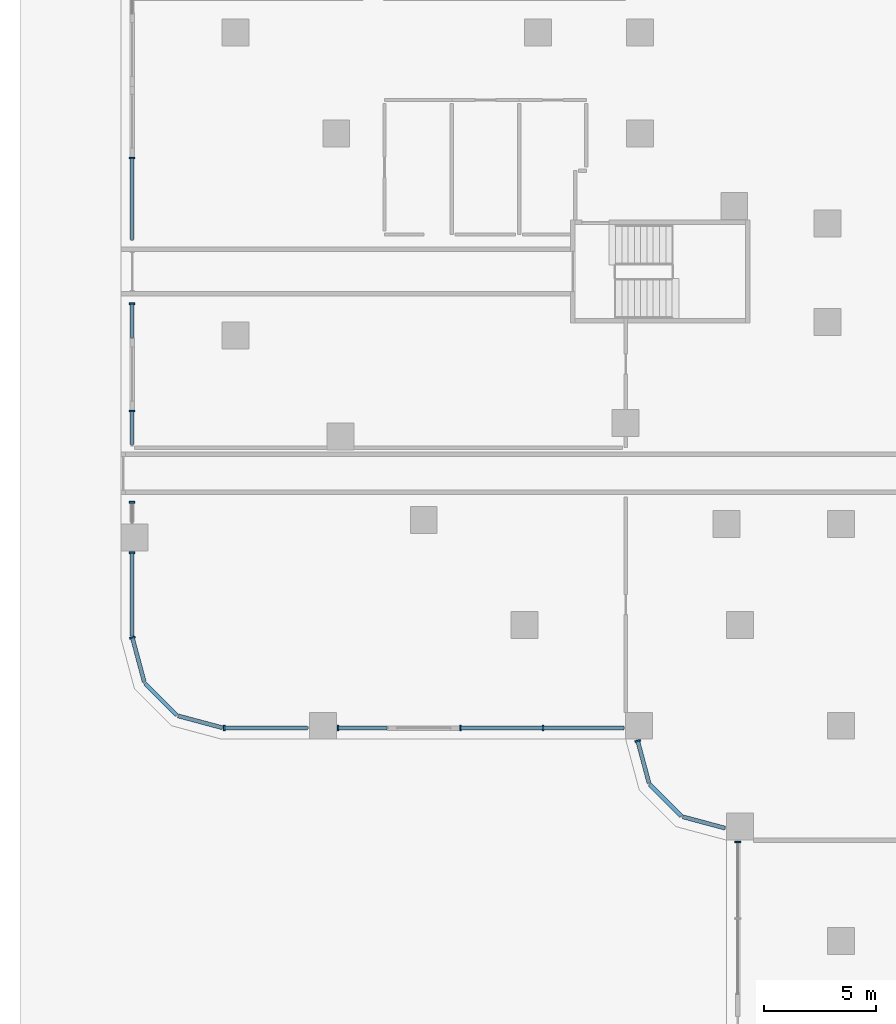
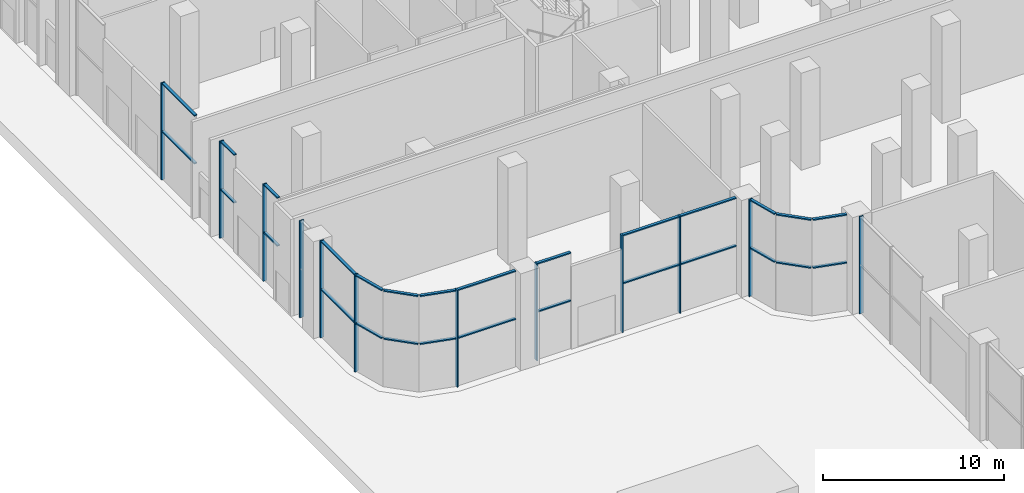
# One storey, part 4 of 34: 38 members, 9 elements without a shape of their own.
"""IFC4 building model written with IfcOpenShell, lengths in metres."""

from ifc_helpers import new_model, si_unit, direction, origin, place, context, subcontext, project, spatial, polyline, outline, extrude, source, transform, mapped, material, type_object, element, aggregate, save


model = new_model("IFC4")

# Units and contexts
model_context = context("Model", 3, precision=1e-05, world=origin(), true_north=direction((0.0, 1.0)))
body_context = subcontext(model_context, "Body", "Model", "MODEL_VIEW")
ifc_project = project(units=[si_unit("LENGTHUNIT", "METRE"), si_unit("AREAUNIT", "SQUARE_METRE"), si_unit("VOLUMEUNIT", "CUBIC_METRE"), si_unit("PLANEANGLEUNIT", "RADIAN"), si_unit("MASSUNIT", "GRAM", prefix="KILO")], contexts=[model_context])

# Site, building, storey
site_placement = place(None, origin())
site = spatial("IfcSite", under=ifc_project, at=site_placement, CompositionType="ELEMENT")
building_placement = place(site_placement, origin())
building = spatial("IfcBuilding", under=site, at=building_placement, Name="Zarbagh Exchange Tower", CompositionType="ELEMENT")
storey_placement = place(building_placement, origin())
storey = spatial("IfcBuildingStorey", under=building, at=storey_placement, Name="L00", CompositionType="ELEMENT", Elevation=0.0)

# Curtain wall, members
ifc_material_1 = material(Name="Anodised aluminium frame and glazing", Category="aluminium")
curtain_wall_type = type_object("IfcCurtainWallType", Name="CWC Podium garden-wall glazing", PredefinedType="NOTDEFINED", material=ifc_material_1)
curtain_wall_1_placement = place(storey_placement, origin())
curtain_wall_1 = element("IfcCurtainWall", 1, at=curtain_wall_1_placement, inside=storey, type_object=curtain_wall_type, Name="CWC37 curtain wall", PredefinedType="NOTDEFINED")
ifc_material_2 = material(Name="Anodised aluminium frame", Category="aluminium")
member_type_1 = type_object("IfcMemberType", Name="MUC Mullion, anodised aluminium frame", PredefinedType="MULLION", material=ifc_material_2)
shared_shape_1 = source(origin(), body_context, "Body", "SweptSolid", [
    extrude(outline(polyline([(0.0, -0.125), (0.080078125, -0.125), (0.080078125, 0.125), (0.0, 0.125), (0.0, -0.125)])), origin(), (0.0, 0.0, 1.0), 6.550048828125),
])
placement = place(storey_placement, origin())
member_1 = element("IfcMember", 2, at=placement, type_object=member_type_1, Name="CWC37 mullion 5.1", PredefinedType="MULLION", context=body_context, shape_type="MappedRepresentation", body=[
    mapped(shared_shape_1, transform((-55.75, -3.300048828125, 0.0), x_axis=(0.0, -1.0, 0.0), y_axis=(1.0, 0.0, 0.0), z_axis=(0.0, 0.0, 1.0))),
])
member_2 = element("IfcMember", 3, at=placement, type_object=member_type_1, Name="CWC37 mullion 6.1", PredefinedType="MULLION", context=body_context, shape_type="MappedRepresentation", body=[
    mapped(shared_shape_1, transform((-55.75, -9.7900390625, 0.0), x_axis=(0.0, -1.0, 0.0), y_axis=(1.0, 0.0, 0.0), z_axis=(0.0, 0.0, 1.0))),
])
member_3 = element("IfcMember", 4, at=placement, type_object=member_type_1, Name="CWC37 mullion 7.1", PredefinedType="MULLION", context=body_context, shape_type="MappedRepresentation", body=[
    mapped(shared_shape_1, transform((-55.75, -14.574951171875, 0.0), x_axis=(0.0, -1.0, 0.0), y_axis=(1.0, 0.0, 0.0), z_axis=(0.0, 0.0, 1.0))),
])
member_4 = element("IfcMember", 5, at=placement, type_object=member_type_1, Name="CWC37 mullion 8.1", PredefinedType="MULLION", context=body_context, shape_type="MappedRepresentation", body=[
    mapped(shared_shape_1, transform((-55.75, -18.64013671875, 0.0), x_axis=(0.0, -1.0, 0.0), y_axis=(1.0, 0.0, 0.0), z_axis=(0.0, 0.0, 1.0))),
])
member_5 = element("IfcMember", 6, at=placement, type_object=member_type_1, Name="CWC37 mullion 9.1", PredefinedType="MULLION", context=body_context, shape_type="MappedRepresentation", body=[
    mapped(shared_shape_1, transform((-55.75, -20.89013671875, 0.0), x_axis=(0.0, -1.0, 0.0), y_axis=(1.0, 0.0, 0.0), z_axis=(0.0, 0.0, 1.0))),
])

# Curtain wall, member
curtain_wall_2_placement = place(storey_placement, origin())
curtain_wall_2 = element("IfcCurtainWall", 7, at=curtain_wall_2_placement, inside=storey, type_object=curtain_wall_type, Name="CWC38 curtain wall", PredefinedType="NOTDEFINED")
member_6 = element("IfcMember", 8, at=placement, type_object=member_type_1, Name="CWC38 mullion 1.1", PredefinedType="MULLION", context=body_context, shape_type="MappedRepresentation", body=[
    mapped(shared_shape_1, transform((-55.75, -24.68408203125, 0.0), x_axis=(0.258824779902, -0.965924289636, 0.0), y_axis=(0.965924289636, 0.258824779902, 0.0), z_axis=(0.0, 0.0, 1.0))),
])

# Curtain wall, members
curtain_wall_3_placement = place(storey_placement, origin())
curtain_wall_3 = element("IfcCurtainWall", 9, at=curtain_wall_3_placement, inside=storey, type_object=curtain_wall_type, Name="CWC41 curtain wall", PredefinedType="NOTDEFINED")
member_7 = element("IfcMember", 10, at=placement, type_object=member_type_1, Name="CWC41 mullion 1.1", PredefinedType="MULLION", context=body_context, shape_type="MappedRepresentation", body=[
    mapped(shared_shape_1, transform((-51.68408203125, -28.75, 0.0), x_axis=(1.0, 0.0, 0.0), y_axis=(0.0, 1.0, 0.0), z_axis=(0.0, 0.0, 1.0))),
])
member_8 = element("IfcMember", 11, at=placement, type_object=member_type_1, Name="CWC41 mullion 2.1", PredefinedType="MULLION", context=body_context, shape_type="MappedRepresentation", body=[
    mapped(shared_shape_1, transform((-46.60986328125, -28.75, 0.0), x_axis=(1.0, 0.0, 0.0), y_axis=(0.0, 1.0, 0.0), z_axis=(0.0, 0.0, 1.0))),
])
member_9 = element("IfcMember", 12, at=placement, type_object=member_type_1, Name="CWC41 mullion 3.1", PredefinedType="MULLION", context=body_context, shape_type="MappedRepresentation", body=[
    mapped(shared_shape_1, transform((-41.14990234375, -28.75, 0.0), x_axis=(1.0, 0.0, 0.0), y_axis=(0.0, 1.0, 0.0), z_axis=(0.0, 0.0, 1.0))),
])
member_10 = element("IfcMember", 13, at=placement, type_object=member_type_1, Name="CWC41 mullion 3.2", PredefinedType="MULLION", context=body_context, shape_type="MappedRepresentation", body=[
    mapped(shared_shape_1, transform((-37.469970703125, -28.75, 0.0), x_axis=(1.0, 0.0, 0.0), y_axis=(0.0, 1.0, 0.0), z_axis=(0.0, 0.0, 1.0))),
])

# Curtain wall, member
curtain_wall_4_placement = place(storey_placement, origin())
curtain_wall_4 = element("IfcCurtainWall", 14, at=curtain_wall_4_placement, inside=storey, type_object=curtain_wall_type, Name="CWC42 curtain wall", PredefinedType="NOTDEFINED")
member_11 = element("IfcMember", 15, at=placement, type_object=member_type_1, Name="CWC42 mullion 1.1", PredefinedType="MULLION", context=body_context, shape_type="MappedRepresentation", body=[
    mapped(shared_shape_1, transform((-33.2216796875, -29.2900390625, 0.0), x_axis=(0.258824779902, -0.965924289636, 0.0), y_axis=(0.965924289636, 0.258824779902, 0.0), z_axis=(0.0, 0.0, 1.0))),
])

curtain_wall_5_placement = place(storey_placement, origin())
curtain_wall_5 = element("IfcCurtainWall", 16, at=curtain_wall_5_placement, inside=storey, type_object=curtain_wall_type, Name="CWC45 curtain wall", PredefinedType="NOTDEFINED")
member_12 = element("IfcMember", 17, at=placement, type_object=member_type_1, Name="CWC45 mullion 1.1", PredefinedType="MULLION", context=body_context, shape_type="MappedRepresentation", body=[
    mapped(shared_shape_1, transform((-28.75, -33.7900390625, 0.0), x_axis=(0.0, -1.0, 0.0), y_axis=(1.0, 0.0, 0.0), z_axis=(0.0, 0.0, 1.0))),
])
aggregate(curtain_wall_5, [member_12])

# Member
member_type_2 = type_object("IfcMemberType", Name="TRC Transom, anodised aluminium frame", PredefinedType="USERDEFINED", material=ifc_material_2)
shared_shape_2 = source(origin(), body_context, "Body", "SweptSolid", [
    extrude(outline(polyline([(-0.080078125, -0.090087890625), (0.0, -0.090087890625), (0.0, 0.090087890625), (-0.080078125, 0.090087890625), (-0.080078125, -0.090087890625)])), origin(), (0.0, 0.0, 1.0), 3.714111328125),
])
member_13 = element("IfcMember", 18, at=placement, type_object=member_type_2, Name="CWC37 transom 9.1", ObjectType="TRANSOM", PredefinedType="USERDEFINED", context=body_context, shape_type="MappedRepresentation", body=[
    mapped(shared_shape_2, transform((-55.75, -20.929931640625, 6.550048828125), x_axis=(0.0, 0.0, 1.0), y_axis=(-1.0, 0.0, 0.0), z_axis=(0.0, -1.0, 0.0))),
])

member_14 = element("IfcMember", 19, at=placement, type_object=member_type_2, Name="CWC41 transom 1.1", ObjectType="TRANSOM", PredefinedType="USERDEFINED", context=body_context, shape_type="MappedRepresentation", body=[
    mapped(shared_shape_2, transform((-51.644287109375, -28.75, 6.550048828125), x_axis=(0.0, 0.0, 1.0), y_axis=(0.0, -1.0, 0.0), z_axis=(1.0, 0.0, 0.0))),
])

shared_shape_3 = source(origin(), body_context, "Body", "SweptSolid", [
    extrude(outline(polyline([(-0.0400390625, -0.090087890625), (0.0400390625, -0.090087890625), (0.0400390625, 0.090087890625), (-0.0400390625, 0.090087890625), (-0.0400390625, -0.090087890625)])), origin(), (0.0, 0.0, 1.0), 3.714111328125),
])
member_15 = element("IfcMember", 20, at=placement, type_object=member_type_2, Name="CWC37 mid transom 9", ObjectType="TRANSOM", PredefinedType="USERDEFINED", context=body_context, shape_type="MappedRepresentation", body=[
    mapped(shared_shape_3, transform((-55.75, -20.929931640625, 3.27490234375), x_axis=(0.0, 0.0, 1.0), y_axis=(-1.0, 0.0, 0.0), z_axis=(0.0, -1.0, 0.0))),
])

member_16 = element("IfcMember", 21, at=placement, type_object=member_type_2, Name="CWC41 mid transom 1", ObjectType="TRANSOM", PredefinedType="USERDEFINED", context=body_context, shape_type="MappedRepresentation", body=[
    mapped(shared_shape_3, transform((-51.644287109375, -28.75, 3.27490234375), x_axis=(0.0, 0.0, 1.0), y_axis=(0.0, -1.0, 0.0), z_axis=(1.0, 0.0, 0.0))),
])

shared_shape_4 = source(origin(), body_context, "Body", "SweptSolid", [
    extrude(outline(polyline([(-0.080078125, -0.090087890625), (0.0, -0.090087890625), (0.0, 0.090087890625), (-0.080078125, 0.090087890625), (-0.080078125, -0.090087890625)])), origin(), (0.0, 0.0, 1.0), 2.049560546875),
])
member_17 = element("IfcMember", 22, at=placement, type_object=member_type_2, Name="CWC38 transom 1.1", ObjectType="TRANSOM", PredefinedType="USERDEFINED", context=body_context, shape_type="MappedRepresentation", body=[
    mapped(shared_shape_4, transform((-55.73974609375, -24.722900390625, 6.550048828125), x_axis=(0.0, 0.0, 1.0), y_axis=(-0.965924289636, -0.258824779902, 0.0), z_axis=(0.258824779902, -0.965924289636, 0.0))),
])

# Curtain wall, member
curtain_wall_6_placement = place(storey_placement, origin())
curtain_wall_6 = element("IfcCurtainWall", 23, at=curtain_wall_6_placement, inside=storey, type_object=curtain_wall_type, Name="CWC40 curtain wall", PredefinedType="NOTDEFINED")
member_18 = element("IfcMember", 24, at=placement, type_object=member_type_2, Name="CWC40 transom 1.1", ObjectType="TRANSOM", PredefinedType="USERDEFINED", context=body_context, shape_type="MappedRepresentation", body=[
    mapped(shared_shape_4, transform((-53.70263671875, -28.209228515625, 6.550048828125), x_axis=(0.0, 0.0, 1.0), y_axis=(-0.258824779902, -0.965924289636, 0.0), z_axis=(0.965924289636, -0.258824779902, 0.0))),
])

# Member
shared_shape_5 = source(origin(), body_context, "Body", "SweptSolid", [
    extrude(outline(polyline([(-0.0400390625, -0.090087890625), (0.0400390625, -0.090087890625), (0.0400390625, 0.090087890625), (-0.0400390625, 0.090087890625), (-0.0400390625, -0.090087890625)])), origin(), (0.0, 0.0, 1.0), 2.049560546875),
])
member_19 = element("IfcMember", 25, at=placement, type_object=member_type_2, Name="CWC38 mid transom 1", ObjectType="TRANSOM", PredefinedType="USERDEFINED", context=body_context, shape_type="MappedRepresentation", body=[
    mapped(shared_shape_5, transform((-55.73974609375, -24.722900390625, 3.27490234375), x_axis=(0.0, 0.0, 1.0), y_axis=(-0.965924289636, -0.258824779902, 0.0), z_axis=(0.258824779902, -0.965924289636, 0.0))),
])

aggregate(curtain_wall_2, [member_6, member_17, member_19])

member_20 = element("IfcMember", 26, at=placement, type_object=member_type_2, Name="CWC40 mid transom 1", ObjectType="TRANSOM", PredefinedType="USERDEFINED", context=body_context, shape_type="MappedRepresentation", body=[
    mapped(shared_shape_5, transform((-53.70263671875, -28.209228515625, 3.27490234375), x_axis=(0.0, 0.0, 1.0), y_axis=(-0.258824779902, -0.965924289636, 0.0), z_axis=(0.965924289636, -0.258824779902, 0.0))),
])

aggregate(curtain_wall_6, [member_18, member_20])

# Curtain wall, member
curtain_wall_7_placement = place(storey_placement, origin())
curtain_wall_7 = element("IfcCurtainWall", 27, at=curtain_wall_7_placement, inside=storey, type_object=curtain_wall_type, Name="CWC39 curtain wall", PredefinedType="NOTDEFINED")
shared_shape_6 = source(origin(), body_context, "Body", "SweptSolid", [
    extrude(outline(polyline([(-0.080078125, -0.090087890625), (0.0, -0.090087890625), (0.0, 0.090087890625), (-0.080078125, 0.090087890625), (-0.080078125, -0.090087890625)])), origin(), (0.0, 0.0, 1.0), 1.9814453125),
])
member_21 = element("IfcMember", 28, at=placement, type_object=member_type_2, Name="CWC39 transom 1.1", ObjectType="TRANSOM", PredefinedType="USERDEFINED", context=body_context, shape_type="MappedRepresentation", body=[
    mapped(shared_shape_6, transform((-55.17041015625, -26.76953125, 6.550048828125), x_axis=(0.0, 0.0, 1.0), y_axis=(-0.707106781187, -0.707106781187, 0.0), z_axis=(0.707106781187, -0.707106781187, 0.0))),
])

curtain_wall_8_placement = place(storey_placement, origin())
curtain_wall_8 = element("IfcCurtainWall", 29, at=curtain_wall_8_placement, inside=storey, type_object=curtain_wall_type, Name="CWC43 curtain wall", PredefinedType="NOTDEFINED")
member_22 = element("IfcMember", 30, at=placement, type_object=member_type_2, Name="CWC43 transom 1.1", ObjectType="TRANSOM", PredefinedType="USERDEFINED", context=body_context, shape_type="MappedRepresentation", body=[
    mapped(shared_shape_6, transform((-32.67041015625, -31.26953125, 6.550048828125), x_axis=(0.0, 0.0, 1.0), y_axis=(-0.707106781187, -0.707106781187, 0.0), z_axis=(0.707106781187, -0.707106781187, 0.0))),
])

# Member
shared_shape_7 = source(origin(), body_context, "Body", "SweptSolid", [
    extrude(outline(polyline([(-0.0400390625, -0.090087890625), (0.0400390625, -0.090087890625), (0.0400390625, 0.090087890625), (-0.0400390625, 0.090087890625), (-0.0400390625, -0.090087890625)])), origin(), (0.0, 0.0, 1.0), 1.9814453125),
])
member_23 = element("IfcMember", 31, at=placement, type_object=member_type_2, Name="CWC39 mid transom 1", ObjectType="TRANSOM", PredefinedType="USERDEFINED", context=body_context, shape_type="MappedRepresentation", body=[
    mapped(shared_shape_7, transform((-55.17041015625, -26.76953125, 3.27490234375), x_axis=(0.0, 0.0, 1.0), y_axis=(-0.707106781187, -0.707106781187, 0.0), z_axis=(0.707106781187, -0.707106781187, 0.0))),
])

aggregate(curtain_wall_7, [member_21, member_23])

member_24 = element("IfcMember", 32, at=placement, type_object=member_type_2, Name="CWC43 mid transom 1", ObjectType="TRANSOM", PredefinedType="USERDEFINED", context=body_context, shape_type="MappedRepresentation", body=[
    mapped(shared_shape_7, transform((-32.67041015625, -31.26953125, 3.27490234375), x_axis=(0.0, 0.0, 1.0), y_axis=(-0.707106781187, -0.707106781187, 0.0), z_axis=(0.707106781187, -0.707106781187, 0.0))),
])

aggregate(curtain_wall_8, [member_22, member_24])

shared_shape_8 = source(origin(), body_context, "Body", "SweptSolid", [
    extrude(outline(polyline([(-0.080078125, -0.090087890625), (0.0, -0.090087890625), (0.0, 0.090087890625), (-0.080078125, 0.090087890625), (-0.080078125, -0.090087890625)])), origin(), (0.0, 0.0, 1.0), 1.93994140625),
])
member_25 = element("IfcMember", 33, at=placement, type_object=member_type_2, Name="CWC42 transom 1.1", ObjectType="TRANSOM", PredefinedType="USERDEFINED", context=body_context, shape_type="MappedRepresentation", body=[
    mapped(shared_shape_8, transform((-33.211181640625, -29.32861328125, 6.550048828125), x_axis=(0.0, 0.0, 1.0), y_axis=(-0.965924289636, -0.258824779902, 0.0), z_axis=(0.258824779902, -0.965924289636, 0.0))),
])

# Curtain wall, member
curtain_wall_9_placement = place(storey_placement, origin())
curtain_wall_9 = element("IfcCurtainWall", 34, at=curtain_wall_9_placement, inside=storey, type_object=curtain_wall_type, Name="CWC44 curtain wall", PredefinedType="NOTDEFINED")
member_26 = element("IfcMember", 35, at=placement, type_object=member_type_2, Name="CWC44 transom 1.1", ObjectType="TRANSOM", PredefinedType="USERDEFINED", context=body_context, shape_type="MappedRepresentation", body=[
    mapped(shared_shape_8, transform((-31.20263671875, -32.709228515625, 6.550048828125), x_axis=(0.0, 0.0, 1.0), y_axis=(-0.258824779902, -0.965924289636, 0.0), z_axis=(0.965924289636, -0.258824779902, 0.0))),
])

# Member
shared_shape_9 = source(origin(), body_context, "Body", "SweptSolid", [
    extrude(outline(polyline([(-0.0400390625, -0.090087890625), (0.0400390625, -0.090087890625), (0.0400390625, 0.090087890625), (-0.0400390625, 0.090087890625), (-0.0400390625, -0.090087890625)])), origin(), (0.0, 0.0, 1.0), 1.93994140625),
])
member_27 = element("IfcMember", 36, at=placement, type_object=member_type_2, Name="CWC42 mid transom 1", ObjectType="TRANSOM", PredefinedType="USERDEFINED", context=body_context, shape_type="MappedRepresentation", body=[
    mapped(shared_shape_9, transform((-33.211181640625, -29.32861328125, 3.27490234375), x_axis=(0.0, 0.0, 1.0), y_axis=(-0.965924289636, -0.258824779902, 0.0), z_axis=(0.258824779902, -0.965924289636, 0.0))),
])

aggregate(curtain_wall_4, [member_11, member_25, member_27])

member_28 = element("IfcMember", 37, at=placement, type_object=member_type_2, Name="CWC44 mid transom 1", ObjectType="TRANSOM", PredefinedType="USERDEFINED", context=body_context, shape_type="MappedRepresentation", body=[
    mapped(shared_shape_9, transform((-31.20263671875, -32.709228515625, 3.27490234375), x_axis=(0.0, 0.0, 1.0), y_axis=(-0.258824779902, -0.965924289636, 0.0), z_axis=(0.965924289636, -0.258824779902, 0.0))),
])

aggregate(curtain_wall_9, [member_26, member_28])

shared_shape_10 = source(origin(), body_context, "Body", "SweptSolid", [
    extrude(outline(polyline([(-0.080078125, -0.090087890625), (0.0, -0.090087890625), (0.0, 0.090087890625), (-0.080078125, 0.090087890625), (-0.080078125, -0.090087890625)])), origin(), (0.0, 0.0, 1.0), 2.179931640625),
])
member_29 = element("IfcMember", 38, at=placement, type_object=member_type_2, Name="CWC41 transom 2.1", ObjectType="TRANSOM", PredefinedType="USERDEFINED", context=body_context, shape_type="MappedRepresentation", body=[
    mapped(shared_shape_10, transform((-46.570068359375, -28.75, 6.550048828125), x_axis=(0.0, 0.0, 1.0), y_axis=(0.0, -1.0, 0.0), z_axis=(1.0, 0.0, 0.0))),
])

shared_shape_11 = source(origin(), body_context, "Body", "SweptSolid", [
    extrude(outline(polyline([(-0.0400390625, -0.090087890625), (0.0400390625, -0.090087890625), (0.0400390625, 0.090087890625), (-0.0400390625, 0.090087890625), (-0.0400390625, -0.090087890625)])), origin(), (0.0, 0.0, 1.0), 2.179931640625),
])
member_30 = element("IfcMember", 39, at=placement, type_object=member_type_2, Name="CWC41 mid transom 2", ObjectType="TRANSOM", PredefinedType="USERDEFINED", context=body_context, shape_type="MappedRepresentation", body=[
    mapped(shared_shape_11, transform((-46.570068359375, -28.75, 3.27490234375), x_axis=(0.0, 0.0, 1.0), y_axis=(0.0, -1.0, 0.0), z_axis=(1.0, 0.0, 0.0))),
])

shared_shape_12 = source(origin(), body_context, "Body", "SweptSolid", [
    extrude(outline(polyline([(-0.080078125, -0.090087890625), (0.0, -0.090087890625), (0.0, 0.090087890625), (-0.080078125, 0.090087890625), (-0.080078125, -0.090087890625)])), origin(), (0.0, 0.0, 1.0), 3.630126953125),
])
member_31 = element("IfcMember", 40, at=placement, type_object=member_type_2, Name="CWC37 transom 5.1", ObjectType="TRANSOM", PredefinedType="USERDEFINED", context=body_context, shape_type="MappedRepresentation", body=[
    mapped(shared_shape_12, transform((-55.75, -3.340087890625, 6.550048828125), x_axis=(0.0, 0.0, 1.0), y_axis=(-1.0, 0.0, 0.0), z_axis=(0.0, -1.0, 0.0))),
])

shared_shape_13 = source(origin(), body_context, "Body", "SweptSolid", [
    extrude(outline(polyline([(-0.0400390625, -0.090087890625), (0.0400390625, -0.090087890625), (0.0400390625, 0.090087890625), (-0.0400390625, 0.090087890625), (-0.0400390625, -0.090087890625)])), origin(), (0.0, 0.0, 1.0), 3.630126953125),
])
member_32 = element("IfcMember", 41, at=placement, type_object=member_type_2, Name="CWC37 mid transom 5", ObjectType="TRANSOM", PredefinedType="USERDEFINED", context=body_context, shape_type="MappedRepresentation", body=[
    mapped(shared_shape_13, transform((-55.75, -3.340087890625, 3.27490234375), x_axis=(0.0, 0.0, 1.0), y_axis=(-1.0, 0.0, 0.0), z_axis=(0.0, -1.0, 0.0))),
])

shared_shape_14 = source(origin(), body_context, "Body", "SweptSolid", [
    extrude(outline(polyline([(-0.080078125, -0.090087890625), (0.0, -0.090087890625), (0.0, 0.090087890625), (-0.080078125, 0.090087890625), (-0.080078125, -0.090087890625)])), origin(), (0.0, 0.0, 1.0), 1.5048828125),
])
member_33 = element("IfcMember", 42, at=placement, type_object=member_type_2, Name="CWC37 transom 6.1", ObjectType="TRANSOM", PredefinedType="USERDEFINED", context=body_context, shape_type="MappedRepresentation", body=[
    mapped(shared_shape_14, transform((-55.75, -9.830078125, 6.550048828125), x_axis=(0.0, 0.0, 1.0), y_axis=(-1.0, 0.0, 0.0), z_axis=(0.0, -1.0, 0.0))),
])

shared_shape_15 = source(origin(), body_context, "Body", "SweptSolid", [
    extrude(outline(polyline([(-0.0400390625, -0.090087890625), (0.0400390625, -0.090087890625), (0.0400390625, 0.090087890625), (-0.0400390625, 0.090087890625), (-0.0400390625, -0.090087890625)])), origin(), (0.0, 0.0, 1.0), 1.5048828125),
])
member_34 = element("IfcMember", 43, at=placement, type_object=member_type_2, Name="CWC37 mid transom 6", ObjectType="TRANSOM", PredefinedType="USERDEFINED", context=body_context, shape_type="MappedRepresentation", body=[
    mapped(shared_shape_15, transform((-55.75, -9.830078125, 3.27490234375), x_axis=(0.0, 0.0, 1.0), y_axis=(-1.0, 0.0, 0.0), z_axis=(0.0, -1.0, 0.0))),
])

shared_shape_16 = source(origin(), body_context, "Body", "SweptSolid", [
    extrude(outline(polyline([(-0.080078125, -0.090087890625), (0.0, -0.090087890625), (0.0, 0.090087890625), (-0.080078125, 0.090087890625), (-0.080078125, -0.090087890625)])), origin(), (0.0, 0.0, 1.0), 1.505126953125),
])
member_35 = element("IfcMember", 44, at=placement, type_object=member_type_2, Name="CWC37 transom 7.1", ObjectType="TRANSOM", PredefinedType="USERDEFINED", context=body_context, shape_type="MappedRepresentation", body=[
    mapped(shared_shape_16, transform((-55.75, -14.614990234375, 6.550048828125), x_axis=(0.0, 0.0, 1.0), y_axis=(-1.0, 0.0, 0.0), z_axis=(0.0, -1.0, 0.0))),
])

shared_shape_17 = source(origin(), body_context, "Body", "SweptSolid", [
    extrude(outline(polyline([(-0.0400390625, -0.090087890625), (0.0400390625, -0.090087890625), (0.0400390625, 0.090087890625), (-0.0400390625, 0.090087890625), (-0.0400390625, -0.090087890625)])), origin(), (0.0, 0.0, 1.0), 1.505126953125),
])
member_36 = element("IfcMember", 45, at=placement, type_object=member_type_2, Name="CWC37 mid transom 7", ObjectType="TRANSOM", PredefinedType="USERDEFINED", context=body_context, shape_type="MappedRepresentation", body=[
    mapped(shared_shape_17, transform((-55.75, -14.614990234375, 3.27490234375), x_axis=(0.0, 0.0, 1.0), y_axis=(-1.0, 0.0, 0.0), z_axis=(0.0, -1.0, 0.0))),
])

aggregate(curtain_wall_1, [member_1, member_31, member_32, member_2, member_33, member_34, member_3, member_35, member_36, member_4, member_5, member_13, member_15])

shared_shape_18 = source(origin(), body_context, "Body", "SweptSolid", [
    extrude(outline(polyline([(-0.080078125, -0.090087890625), (0.0, -0.090087890625), (0.0, 0.090087890625), (-0.080078125, 0.090087890625), (-0.080078125, -0.090087890625)])), origin(), (0.0, 0.0, 1.0), 7.280029296875),
])
member_37 = element("IfcMember", 46, at=placement, type_object=member_type_2, Name="CWC41 transom 3.1", ObjectType="TRANSOM", PredefinedType="USERDEFINED", context=body_context, shape_type="MappedRepresentation", body=[
    mapped(shared_shape_18, transform((-41.110107421875, -28.75, 6.550048828125), x_axis=(0.0, 0.0, 1.0), y_axis=(0.0, -1.0, 0.0), z_axis=(1.0, 0.0, 0.0))),
])

shared_shape_19 = source(origin(), body_context, "Body", "SweptSolid", [
    extrude(outline(polyline([(-0.0400390625, -0.090087890625), (0.0400390625, -0.090087890625), (0.0400390625, 0.090087890625), (-0.0400390625, 0.090087890625), (-0.0400390625, -0.090087890625)])), origin(), (0.0, 0.0, 1.0), 7.280029296875),
])
member_38 = element("IfcMember", 47, at=placement, type_object=member_type_2, Name="CWC41 mid transom 3", ObjectType="TRANSOM", PredefinedType="USERDEFINED", context=body_context, shape_type="MappedRepresentation", body=[
    mapped(shared_shape_19, transform((-41.110107421875, -28.75, 3.27490234375), x_axis=(0.0, 0.0, 1.0), y_axis=(0.0, -1.0, 0.0), z_axis=(1.0, 0.0, 0.0))),
])

aggregate(curtain_wall_3, [member_7, member_14, member_16, member_8, member_29, member_30, member_9, member_37, member_38, member_10])

save(model, "model.ifc")
